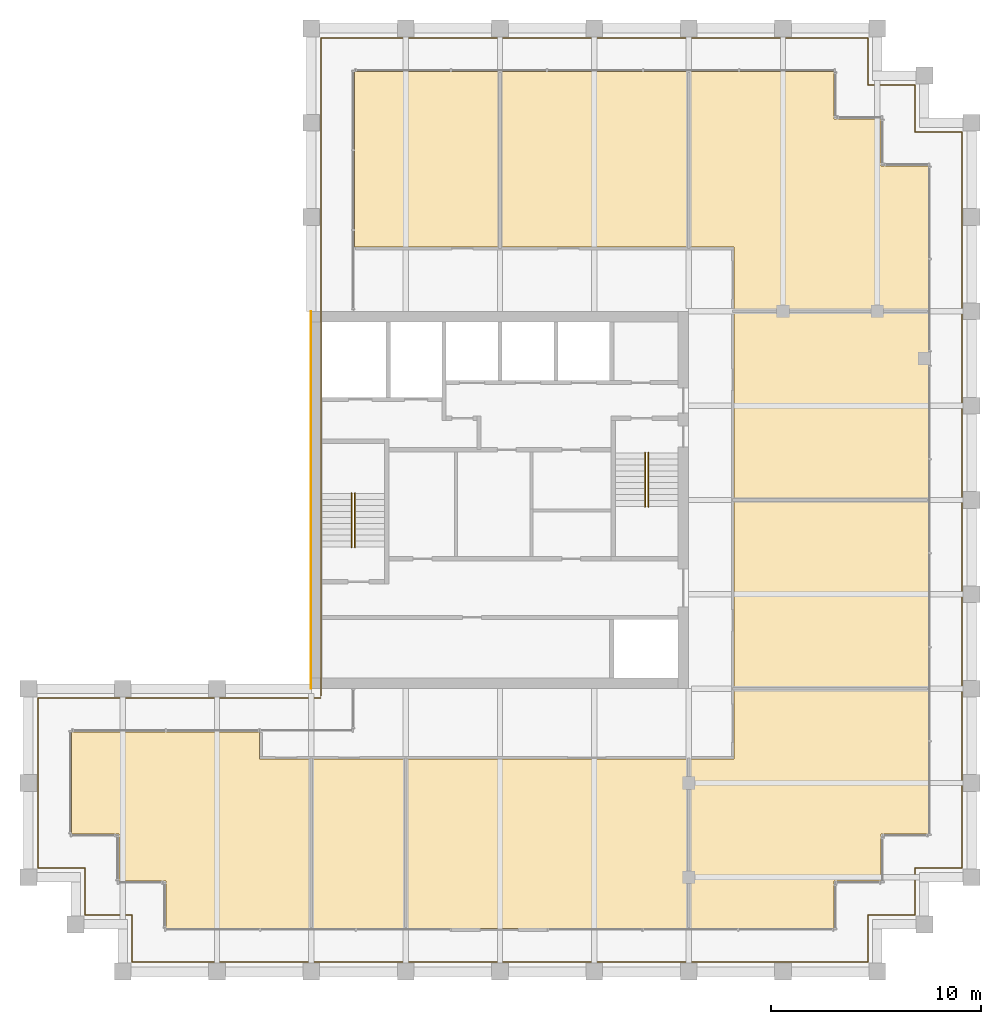
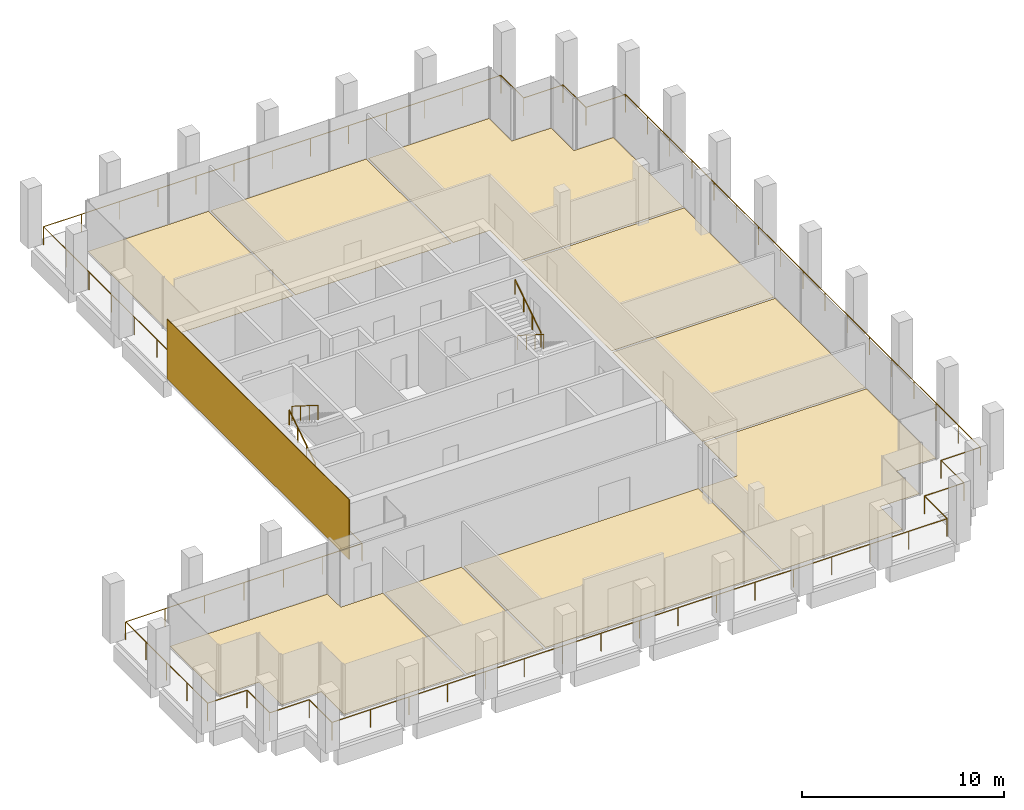
# One storey, part 30 of 30: 10 coverings, 5 railings.
"""IFC4 building model written with IfcOpenShell, lengths in metres."""

from ifc_helpers import new_model, si_unit, direction, frame, origin, origin_2d, place, context, subcontext, project, spatial, polyline, rectangle, circle, outline, extrude, source, transform, mapped, material, layer, layer_set, type_object, element, save


model = new_model("IFC4")

# Units and contexts
model_context = context("Model", 3, precision=1e-05, world=origin(), true_north=direction((0.0, 1.0)))
body_context = subcontext(model_context, "Body", "Model", "MODEL_VIEW")
ifc_project = project(units=[si_unit("LENGTHUNIT", "METRE"), si_unit("AREAUNIT", "SQUARE_METRE"), si_unit("VOLUMEUNIT", "CUBIC_METRE"), si_unit("PLANEANGLEUNIT", "RADIAN"), si_unit("MASSUNIT", "GRAM", prefix="KILO")], contexts=[model_context])

# Site, building, storey
site_placement = place(None, origin())
site = spatial("IfcSite", under=ifc_project, at=site_placement, CompositionType="ELEMENT")
building_placement = place(site_placement, origin())
building = spatial("IfcBuilding", under=site, at=building_placement, Name="Altepetl Exchange Towers", CompositionType="ELEMENT")
storey_placement = place(building_placement, frame((0.0, 0.0, 235.199951171875)))
storey = spatial("IfcBuildingStorey", under=building, at=storey_placement, Name="L60", CompositionType="ELEMENT", Elevation=235.199951171875)

# Coverings
ifc_material_1 = material(Name="Carpet tile")
ifc_layer_1 = layer(ifc_material_1, 0.02001953125)
ifc_layer_set_1 = layer_set([ifc_layer_1], Name="Carpet tile")
covering_type_1 = type_object("IfcCoveringType", Name="Carpet tile floor", PredefinedType="FLOORING", material=ifc_layer_set_1)
covering_1_placement = place(storey_placement, origin())
element("IfcCovering", 1, at=covering_1_placement, inside=storey, type_object=covering_type_1, Name="Open office floor finish A60.01", PredefinedType="FLOORING", context=body_context, shape_type="SweptSolid", body=[
    extrude(outline(polyline([(33.5625, 31.3125), (33.5625, 29.0625), (40.4375, 29.0625), (40.4375, 37.137451171875), (38.03759765625, 37.137451171875), (38.03759765625, 38.4375), (29.0625, 38.4375), (29.0625, 33.5625), (31.3125, 33.5625), (31.3125, 31.3125), (33.5625, 31.3125)])), origin(), (0.0, 0.0, 1.0), 0.02001953125),
])
covering_2_placement = place(storey_placement, origin())
element("IfcCovering", 2, at=covering_2_placement, inside=storey, type_object=covering_type_1, Name="Pantry floor finish A60.02", PredefinedType="FLOORING", context=body_context, shape_type="SweptSolid", body=[
    extrude(outline(polyline([(40.5625, 37.137451171875), (40.5625, 29.0625), (44.9375, 29.0625), (44.9375, 37.137451171875), (40.5625, 37.137451171875)])), origin(), (0.0, 0.0, 1.0), 0.02001953125),
])
covering_3_placement = place(storey_placement, origin())
element("IfcCovering", 3, at=covering_3_placement, inside=storey, type_object=covering_type_1, Name="Fund office floor finish A60.04", PredefinedType="FLOORING", context=body_context, shape_type="SweptSolid", body=[
    extrude(outline(polyline([(58.5625, 37.137451171875), (58.5625, 29.0625), (65.4375, 29.0625), (65.4375, 31.3125), (67.6875, 31.3125), (67.6875, 33.5625), (69.9375, 33.5625), (69.9375, 40.4375), (60.66259765625, 40.4375), (60.66259765625, 37.137451171875), (58.5625, 37.137451171875)])), origin(), (0.0, 0.0, 1.0), 0.02001953125),
])
covering_4_placement = place(storey_placement, origin())
element("IfcCovering", 4, at=covering_4_placement, inside=storey, type_object=covering_type_1, Name="Meeting room floor finish A60.05", PredefinedType="FLOORING", context=body_context, shape_type="SweptSolid", body=[
    extrude(outline(polyline([(60.66259765625, 40.5625), (69.9375, 40.5625), (69.9375, 49.4375), (60.66259765625, 49.4375), (60.66259765625, 40.5625)])), origin(), (0.0, 0.0, 1.0), 0.02001953125),
])
covering_5_placement = place(storey_placement, origin())
element("IfcCovering", 5, at=covering_5_placement, inside=storey, type_object=covering_type_1, Name="Huddle room floor finish A60.06", PredefinedType="FLOORING", context=body_context, shape_type="SweptSolid", body=[
    extrude(outline(polyline([(60.66259765625, 49.5625), (69.9375, 49.5625), (69.9375, 58.4375), (60.66259765625, 58.4375), (60.66259765625, 49.5625)])), origin(), (0.0, 0.0, 1.0), 0.02001953125),
])
covering_6_placement = place(storey_placement, origin())
element("IfcCovering", 6, at=covering_6_placement, inside=storey, type_object=covering_type_1, Name="Fund office floor finish A60.07", PredefinedType="FLOORING", context=body_context, shape_type="SweptSolid", body=[
    extrude(outline(polyline([(60.66259765625, 58.5625), (69.9375, 58.5625), (69.9375, 65.4375), (67.6875, 65.4375), (67.6875, 67.6875), (65.4375, 67.6875), (65.4375, 69.9375), (58.5625, 69.9375), (58.5625, 61.5625), (60.66259765625, 61.5625), (60.66259765625, 58.5625)])), origin(), (0.0, 0.0, 1.0), 0.02001953125),
])
covering_7_placement = place(storey_placement, origin())
element("IfcCovering", 7, at=covering_7_placement, inside=storey, type_object=covering_type_1, Name="Meeting room floor finish A60.08", PredefinedType="FLOORING", context=body_context, shape_type="SweptSolid", body=[
    extrude(outline(polyline([(58.4375, 61.5625), (58.4375, 69.9375), (49.5625, 69.9375), (49.5625, 61.5625), (58.4375, 61.5625)])), origin(), (0.0, 0.0, 1.0), 0.02001953125),
])
covering_8_placement = place(storey_placement, origin())
element("IfcCovering", 8, at=covering_8_placement, inside=storey, type_object=covering_type_1, Name="Huddle room floor finish A60.09", PredefinedType="FLOORING", context=body_context, shape_type="SweptSolid", body=[
    extrude(outline(polyline([(42.5625, 61.5625), (49.4375, 61.5625), (49.4375, 69.9375), (42.5625, 69.9375), (42.5625, 61.5625)])), origin(), (0.0, 0.0, 1.0), 0.02001953125),
])
ifc_material_2 = material(Name="Cantera stone", Category="masonry")
ifc_layer_2 = layer(ifc_material_2, 0.030029296875)
ifc_layer_set_2 = layer_set([ifc_layer_2], Name="Cantera stone")
covering_type_2 = type_object("IfcCoveringType", Name="Polished stone floor", PredefinedType="FLOORING", material=ifc_layer_set_2)
covering_9_placement = place(storey_placement, origin())
element("IfcCovering", 9, at=covering_9_placement, inside=storey, type_object=covering_type_2, Name="Staff club floor finish A60.03", PredefinedType="FLOORING", context=body_context, shape_type="SweptSolid", body=[
    extrude(outline(polyline([(45.0625, 37.137451171875), (45.0625, 29.0625), (58.4375, 29.0625), (58.4375, 37.137451171875), (45.0625, 37.137451171875)])), origin(), (0.0, 0.0, 1.0), 0.030029296875),
])
ifc_material_3 = material(Name="Cantera limestone cladding", Category="masonry")
ifc_layer_3 = layer(ifc_material_3, 0.0400390625)
ifc_layer_set_3 = layer_set([ifc_layer_3], Name="Cantera limestone cladding")
covering_type_3 = type_object("IfcCoveringType", Name="Stone panel 40 cantera", PredefinedType="CLADDING", material=ifc_layer_set_3)
covering_10_placement = place(storey_placement, frame((40.47998046875, 49.5, 0.0), z_axis=(0.0, 0.0, 1.0), x_axis=(0.0, -1.0, 0.0)))
element("IfcCovering", 10, at=covering_10_placement, inside=storey, type_object=covering_type_3, Name="Stone cladding panel", PredefinedType="CLADDING", context=body_context, shape_type="SweptSolid", body=[
    extrude(rectangle(XDim=18.0, YDim=0.0400390625, at=origin_2d()), origin(), (0.0, 0.0, 1.0), 3.60009765625),
])

# Railings
ifc_material_4 = material(Name="Steel S355", Category="steel")
railing_type_1 = type_object("IfcRailingType", Name="Guard 1100 steel posts and rail", PredefinedType="GUARDRAIL", material=ifc_material_4)
shared_shape_1 = source(origin(), body_context, "Body", "SweptSolid", [
    extrude(circle(Radius=0.02099609375, at=origin_2d()), origin(), (0.0, 0.0, 1.0), 1.052001953125),
])
railing_1_placement = place(storey_placement, frame((40.949951171875, 40.050048828125, 0.0)))
element("IfcRailing", 11, at=railing_1_placement, inside=storey, type_object=railing_type_1, Name="Loggia guard", PredefinedType="GUARDRAIL", context=body_context, shape_type="SweptSolid", body=[
    extrude(circle(Radius=0.02392578125, at=origin_2d()), frame((0.0, 0.0, 1.076171875), z_axis=(-1.0, 0.0, 0.0), x_axis=(0.0, -1.0, 0.0)), (0.0, 0.0, 1.0), 13.5),
    extrude(circle(Radius=0.02392578125, at=origin_2d()), frame((-13.5, 0.0, 1.076171875), z_axis=(0.0, -1.0, 0.0), x_axis=(1.0, 0.0, 0.0)), (0.0, 0.0, 1.0), 8.10009765625),
    extrude(circle(Radius=0.02392578125, at=origin_2d()), frame((-13.5, -8.10009765625, 1.076171875), z_axis=(1.0, 0.0, 0.0), x_axis=(0.0, 1.0, 0.0)), (0.0, 0.0, 1.0), 2.25),
    extrude(circle(Radius=0.02392578125, at=origin_2d()), frame((-11.25, -8.10009765625, 1.076171875), z_axis=(0.0, -1.0, 0.0), x_axis=(1.0, 0.0, 0.0)), (0.0, 0.0, 1.0), 2.25),
    extrude(circle(Radius=0.02392578125, at=origin_2d()), frame((-11.25, -10.35009765625, 1.076171875), z_axis=(1.0, 0.0, 0.0), x_axis=(0.0, 1.0, 0.0)), (0.0, 0.0, 1.0), 2.25),
    extrude(circle(Radius=0.02392578125, at=origin_2d()), frame((-9.0, -10.35009765625, 1.076171875), z_axis=(0.0, -1.0, 0.0), x_axis=(1.0, 0.0, 0.0)), (0.0, 0.0, 1.0), 2.25),
    extrude(circle(Radius=0.02392578125, at=origin_2d()), frame((-9.0, -12.60009765625, 1.076171875), z_axis=(1.0, 0.0, 0.0), x_axis=(0.0, 1.0, 0.0)), (0.0, 0.0, 1.0), 35.10009765625),
    extrude(circle(Radius=0.02392578125, at=origin_2d()), frame((26.10009765625, -12.60009765625, 1.076171875), z_axis=(0.0, 1.0, 0.0), x_axis=(-1.0, 0.0, 0.0)), (0.0, 0.0, 1.0), 2.25),
    extrude(circle(Radius=0.02392578125, at=origin_2d()), frame((26.10009765625, -10.35009765625, 1.076171875), z_axis=(1.0, 0.0, 0.0), x_axis=(0.0, 1.0, 0.0)), (0.0, 0.0, 1.0), 2.25),
    extrude(circle(Radius=0.02392578125, at=origin_2d()), frame((28.35009765625, -10.35009765625, 1.076171875), z_axis=(0.0, 1.0, 0.0), x_axis=(-1.0, 0.0, 0.0)), (0.0, 0.0, 1.0), 2.25),
    extrude(circle(Radius=0.02392578125, at=origin_2d()), frame((28.35009765625, -8.10009765625, 1.076171875), z_axis=(1.0, 0.0, 0.0), x_axis=(0.0, 1.0, 0.0)), (0.0, 0.0, 1.0), 2.25),
    extrude(circle(Radius=0.02392578125, at=origin_2d()), frame((30.60009765625, -8.10009765625, 1.076171875), z_axis=(0.0, 1.0, 0.0), x_axis=(-1.0, 0.0, 0.0)), (0.0, 0.0, 1.0), 35.10009765625),
    extrude(circle(Radius=0.02392578125, at=origin_2d()), frame((30.60009765625, 27.0, 1.076171875), z_axis=(-1.0, 0.0, 0.0), x_axis=(0.0, -1.0, 0.0)), (0.0, 0.0, 1.0), 2.25),
    extrude(circle(Radius=0.02392578125, at=origin_2d()), frame((28.35009765625, 27.0, 1.076171875), z_axis=(0.0, 1.0, 0.0), x_axis=(-1.0, 0.0, 0.0)), (0.0, 0.0, 1.0), 2.25),
    extrude(circle(Radius=0.02392578125, at=origin_2d()), frame((28.35009765625, 29.25, 1.076171875), z_axis=(-1.0, 0.0, 0.0), x_axis=(0.0, -1.0, 0.0)), (0.0, 0.0, 1.0), 2.25),
    extrude(circle(Radius=0.02392578125, at=origin_2d()), frame((26.10009765625, 29.25, 1.076171875), z_axis=(0.0, 1.0, 0.0), x_axis=(-1.0, 0.0, 0.0)), (0.0, 0.0, 1.0), 2.25),
    extrude(circle(Radius=0.02392578125, at=origin_2d()), frame((26.10009765625, 31.5, 1.076171875), z_axis=(-1.0, 0.0, 0.0), x_axis=(0.0, -1.0, 0.0)), (0.0, 0.0, 1.0), 26.10009765625),
    extrude(circle(Radius=0.02392578125, at=origin_2d()), frame((0.0, 31.5, 1.076171875), z_axis=(0.0, -1.0, 0.0), x_axis=(1.0, 0.0, 0.0)), (0.0, 0.0, 1.0), 31.400146484375),
    mapped(shared_shape_1, transform((0.0, 0.0, 0.0))),
    mapped(shared_shape_1, transform((-2.25, 0.0, 0.0))),
    mapped(shared_shape_1, transform((-4.5, 0.0, 0.0))),
    mapped(shared_shape_1, transform((-6.75, 0.0, 0.0))),
    mapped(shared_shape_1, transform((-9.0, 0.0, 0.0))),
    mapped(shared_shape_1, transform((-11.25, 0.0, 0.0))),
    mapped(shared_shape_1, transform((-13.5, 0.0, 0.0))),
    mapped(shared_shape_1, transform((-13.5, -2.02490234375, 0.0))),
    mapped(shared_shape_1, transform((-13.5, -4.050048828125, 0.0))),
    mapped(shared_shape_1, transform((-13.5, -6.0751953125, 0.0))),
    mapped(shared_shape_1, transform((-13.5, -8.10009765625, 0.0))),
    mapped(shared_shape_1, transform((-11.25, -8.10009765625, 0.0))),
    mapped(shared_shape_1, transform((-11.25, -10.35009765625, 0.0))),
    mapped(shared_shape_1, transform((-9.0, -10.35009765625, 0.0))),
    mapped(shared_shape_1, transform((-9.0, -12.60009765625, 0.0))),
    mapped(shared_shape_1, transform((-6.80615234375, -12.60009765625, 0.0))),
    mapped(shared_shape_1, transform((-4.612548828125, -12.60009765625, 0.0))),
    mapped(shared_shape_1, transform((-2.418701171875, -12.60009765625, 0.0))),
    mapped(shared_shape_1, transform((-0.22509765625, -12.60009765625, 0.0))),
    mapped(shared_shape_1, transform((1.96875, -12.60009765625, 0.0))),
    mapped(shared_shape_1, transform((4.16259765625, -12.60009765625, 0.0))),
    mapped(shared_shape_1, transform((6.356201171875, -12.60009765625, 0.0))),
    mapped(shared_shape_1, transform((8.550048828125, -12.60009765625, 0.0))),
    mapped(shared_shape_1, transform((10.743896484375, -12.60009765625, 0.0))),
    mapped(shared_shape_1, transform((12.9375, -12.60009765625, 0.0))),
    mapped(shared_shape_1, transform((15.13134765625, -12.60009765625, 0.0))),
    mapped(shared_shape_1, transform((17.3251953125, -12.60009765625, 0.0))),
    mapped(shared_shape_1, transform((19.518798828125, -12.60009765625, 0.0))),
    mapped(shared_shape_1, transform((21.712646484375, -12.60009765625, 0.0))),
    mapped(shared_shape_1, transform((23.90625, -12.60009765625, 0.0))),
    mapped(shared_shape_1, transform((26.10009765625, -12.60009765625, 0.0))),
    mapped(shared_shape_1, transform((26.10009765625, -10.35009765625, 0.0))),
    mapped(shared_shape_1, transform((28.35009765625, -10.35009765625, 0.0))),
    mapped(shared_shape_1, transform((28.35009765625, -8.10009765625, 0.0))),
    mapped(shared_shape_1, transform((30.60009765625, -8.10009765625, 0.0))),
    mapped(shared_shape_1, transform((30.60009765625, -5.90625, 0.0))),
    mapped(shared_shape_1, transform((30.60009765625, -3.712646484375, 0.0))),
    mapped(shared_shape_1, transform((30.60009765625, -1.518798828125, 0.0))),
    mapped(shared_shape_1, transform((30.60009765625, 0.6748046875, 0.0))),
    mapped(shared_shape_1, transform((30.60009765625, 2.86865234375, 0.0))),
    mapped(shared_shape_1, transform((30.60009765625, 5.0625, 0.0))),
    mapped(shared_shape_1, transform((30.60009765625, 7.256103515625, 0.0))),
    mapped(shared_shape_1, transform((30.60009765625, 9.449951171875, 0.0))),
    mapped(shared_shape_1, transform((30.60009765625, 11.643798828125, 0.0))),
    mapped(shared_shape_1, transform((30.60009765625, 13.83740234375, 0.0))),
    mapped(shared_shape_1, transform((30.60009765625, 16.03125, 0.0))),
    mapped(shared_shape_1, transform((30.60009765625, 18.22509765625, 0.0))),
    mapped(shared_shape_1, transform((30.60009765625, 20.418701171875, 0.0))),
    mapped(shared_shape_1, transform((30.60009765625, 22.612548828125, 0.0))),
    mapped(shared_shape_1, transform((30.60009765625, 24.80615234375, 0.0))),
    mapped(shared_shape_1, transform((30.60009765625, 27.0, 0.0))),
    mapped(shared_shape_1, transform((28.35009765625, 27.0, 0.0))),
    mapped(shared_shape_1, transform((28.35009765625, 29.25, 0.0))),
    mapped(shared_shape_1, transform((26.10009765625, 29.25, 0.0))),
    mapped(shared_shape_1, transform((26.10009765625, 31.5, 0.0))),
    mapped(shared_shape_1, transform((23.925048828125, 31.5, 0.0))),
    mapped(shared_shape_1, transform((21.75, 31.5, 0.0))),
    mapped(shared_shape_1, transform((19.5751953125, 31.5, 0.0))),
    mapped(shared_shape_1, transform((17.400146484375, 31.5, 0.0))),
    mapped(shared_shape_1, transform((15.22509765625, 31.5, 0.0))),
    mapped(shared_shape_1, transform((13.050048828125, 31.5, 0.0))),
    mapped(shared_shape_1, transform((10.875, 31.5, 0.0))),
    mapped(shared_shape_1, transform((8.699951171875, 31.5, 0.0))),
    mapped(shared_shape_1, transform((6.52490234375, 31.5, 0.0))),
    mapped(shared_shape_1, transform((4.35009765625, 31.5, 0.0))),
    mapped(shared_shape_1, transform((2.175048828125, 31.5, 0.0))),
    mapped(shared_shape_1, transform((0.0, 31.5, 0.0))),
    mapped(shared_shape_1, transform((0.0, 29.257080078125, 0.0))),
    mapped(shared_shape_1, transform((0.0, 27.01416015625, 0.0))),
    mapped(shared_shape_1, transform((0.0, 24.771484375, 0.0))),
    mapped(shared_shape_1, transform((0.0, 22.528564453125, 0.0))),
    mapped(shared_shape_1, transform((0.0, 20.28564453125, 0.0))),
    mapped(shared_shape_1, transform((0.0, 18.042724609375, 0.0))),
    mapped(shared_shape_1, transform((0.0, 15.7998046875, 0.0))),
    mapped(shared_shape_1, transform((0.0, 13.55712890625, 0.0))),
    mapped(shared_shape_1, transform((0.0, 11.314208984375, 0.0))),
    mapped(shared_shape_1, transform((0.0, 9.0712890625, 0.0))),
    mapped(shared_shape_1, transform((0.0, 6.828369140625, 0.0))),
    mapped(shared_shape_1, transform((0.0, 4.585693359375, 0.0))),
    mapped(shared_shape_1, transform((0.0, 2.3427734375, 0.0))),
    mapped(shared_shape_1, transform((0.0, 0.099853515625, 0.0))),
])
ifc_material_5 = material(Name="Steel", Category="steel")
railing_type_2 = type_object("IfcRailingType", Name="Stair handrail 50 steel tube", PredefinedType="HANDRAIL", material=ifc_material_5)
shared_shape_2 = source(origin(), body_context, "Body", "SweptSolid", [
    extrude(circle(Radius=0.02099609375, at=origin_2d()), origin(), (0.0, 0.0, 1.0), 0.851806640625),
])
railing_2_placement = place(storey_placement, frame((42.419921875, 47.25, 0.179931640625)))
element("IfcRailing", 12, at=railing_2_placement, inside=storey, type_object=railing_type_2, Name="Stair handrail", PredefinedType="HANDRAIL", context=body_context, shape_type="SweptSolid", body=[
    extrude(circle(Radius=0.02392578125, at=origin_2d()), frame((0.0, 0.0, 0.8759765625), z_axis=(0.0, 0.845465955043, 0.534029323973), x_axis=(-1.0, 0.0, 0.0)), (0.0, 0.0, 1.0), 3.03369140625),
    mapped(shared_shape_2, transform((0.0, 0.0, 0.0))),
    mapped(shared_shape_2, transform((0.0, 0.85498046875, 0.5400390625))),
    mapped(shared_shape_2, transform((0.0, 1.7099609375, 1.080078125))),
    mapped(shared_shape_2, transform((0.0, 2.56494140625, 1.6201171875))),
])
for number, where, name in (
    (13, (42.580078125, 49.81494140625, 1.97998046875), "Stair handrail"),
    (14, (56.580078125, 51.75, 0.179931640625), "Stair handrail"),
):
    element("IfcRailing", number, at=place(storey_placement, frame(where)), inside=storey, type_object=railing_type_2, Name=name, PredefinedType="HANDRAIL", context=body_context, shape_type="SweptSolid", body=[
        extrude(circle(Radius=0.02392578125, at=origin_2d()), frame((0.0, 0.0, 0.8759765625), z_axis=(0.0, -0.845465955043, 0.534029323973), x_axis=(1.0, 0.0, 0.0)), (0.0, 0.0, 1.0), 3.03369140625),
        mapped(shared_shape_2, transform((0.0, 0.0, 0.0))),
        mapped(shared_shape_2, transform((0.0, -0.85498046875, 0.5400390625))),
        mapped(shared_shape_2, transform((0.0, -1.7099609375, 1.080078125))),
        mapped(shared_shape_2, transform((0.0, -2.56494140625, 1.6201171875))),
    ])
railing_3_placement = place(storey_placement, frame((56.419921875, 49.18505859375, 1.97998046875)))
element("IfcRailing", 15, at=railing_3_placement, inside=storey, type_object=railing_type_2, Name="Stair handrail", PredefinedType="HANDRAIL", context=body_context, shape_type="SweptSolid", body=[
    extrude(circle(Radius=0.02392578125, at=origin_2d()), frame((0.0, 0.0, 0.8759765625), z_axis=(0.0, 0.845465955043, 0.534029323973), x_axis=(-1.0, 0.0, 0.0)), (0.0, 0.0, 1.0), 3.03369140625),
    mapped(shared_shape_2, transform((0.0, 0.0, 0.0))),
    mapped(shared_shape_2, transform((0.0, 0.85498046875, 0.5400390625))),
    mapped(shared_shape_2, transform((0.0, 1.7099609375, 1.080078125))),
    mapped(shared_shape_2, transform((0.0, 2.56494140625, 1.6201171875))),
])

save(model, "model.ifc")
